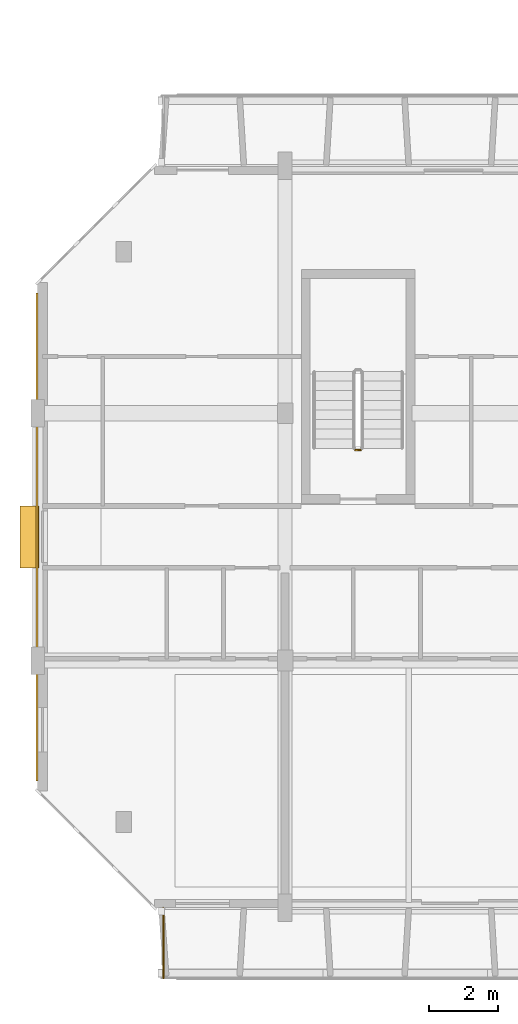
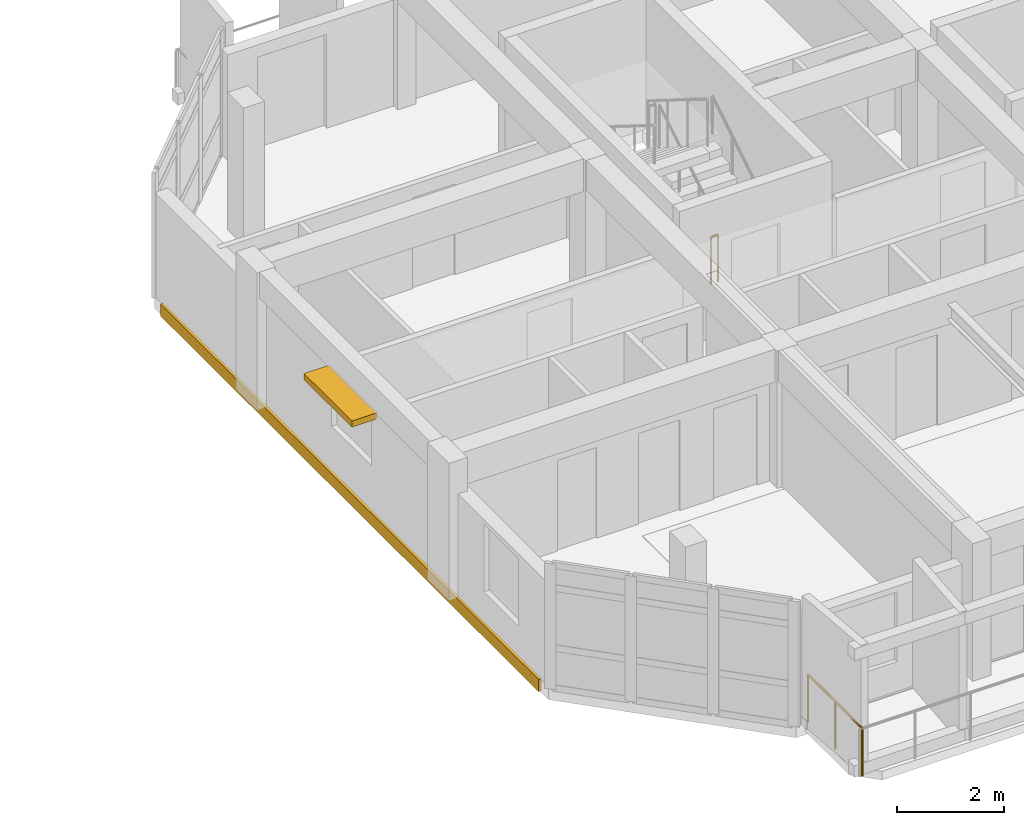
# One storey, part 35 of 45: 2 railings, 1 covering, 1 shading device.
"""IFC4 building model written with IfcOpenShell, lengths in metres."""

from ifc_helpers import new_model, si_unit, direction, frame, origin, origin_2d, place, context, subcontext, project, spatial, rectangle, circle, extrude, material, layer, layer_set, type_object, element, save


model = new_model("IFC4")

# Units and contexts
model_context = context("Model", 3, precision=1e-05, world=origin(), true_north=direction((0.0, 1.0)))
body_context = subcontext(model_context, "Body", "Model", "MODEL_VIEW")
ifc_project = project(units=[si_unit("LENGTHUNIT", "METRE"), si_unit("AREAUNIT", "SQUARE_METRE"), si_unit("VOLUMEUNIT", "CUBIC_METRE"), si_unit("PLANEANGLEUNIT", "RADIAN"), si_unit("MASSUNIT", "GRAM", prefix="KILO")], contexts=[model_context])

# Site, building, storey
site_placement = place(None, origin())
site = spatial("IfcSite", under=ifc_project, at=site_placement, CompositionType="ELEMENT")
building_placement = place(site_placement, origin())
building = spatial("IfcBuilding", under=site, at=building_placement, Name="Ochrevale Crest", CompositionType="ELEMENT")
storey_placement = place(building_placement, frame((0.0, 0.0, 18.14990234375)))
storey = spatial("IfcBuildingStorey", under=building, at=storey_placement, Name="L05", CompositionType="ELEMENT", Elevation=18.14990234375)

# Covering
ifc_material_1 = material(Name="Glazed terracotta rainscreen tile", Category="masonry")
ifc_layer = layer(ifc_material_1, 0.048095703125)
ifc_layer_set = layer_set([ifc_layer], Name="Glazed terracotta rainscreen tile")
covering_type = type_object("IfcCoveringType", Name="COV-CLAD-TER", PredefinedType="CLADDING", material=ifc_layer_set)
covering_placement = place(storey_placement, frame((-0.014404296875, 25.199951171875, -0.259765625), z_axis=(0.0, 0.0, 1.0), x_axis=(0.0, -1.0, 0.0)))
element("IfcCovering", 1, at=covering_placement, inside=storey, type_object=covering_type, Name="Block A L05 terracotta slab-edge spandrel cladding", PredefinedType="CLADDING", context=body_context, shape_type="SweptSolid", body=[
    extrude(rectangle(XDim=14.199951171875, YDim=0.06005859375, at=origin_2d()), origin(), (0.0, 0.0, 1.0), 0.280029296875),
])

# Railings
ifc_material_2 = material(Name="Galvanised steel", Category="steel")
railing_type_1 = type_object("IfcRailingType", Name="RL-BAL-1100", PredefinedType="BALUSTRADE", material=ifc_material_2)
railing_1_placement = place(storey_placement, frame((3.659912109375, 14.39990234375, 0.0)))
element("IfcRailing", 2, at=railing_1_placement, inside=storey, type_object=railing_type_1, Name="Block A L05 S-W balcony side guard", PredefinedType="BALUSTRADE", context=body_context, shape_type="SweptSolid", body=[
    extrude(circle(Radius=0.02392578125, at=origin_2d()), frame((0.0, 0.0, 1.0859375), z_axis=(0.0, -1.0, 0.0), x_axis=(1.0, 0.0, 0.0)), (0.0, 0.0, 1.0), 2.039794921875),
    extrude(circle(Radius=0.02099609375, at=origin_2d()), origin(), (0.0, 0.0, 1.0), 1.06201171875),
    extrude(circle(Radius=0.02099609375, at=origin_2d()), frame((0.0, -1.02001953125, 0.0)), (0.0, 0.0, 1.0), 1.06201171875),
    extrude(circle(Radius=0.02099609375, at=origin_2d()), frame((0.0, -2.039794921875, 0.0)), (0.0, 0.0, 1.0), 1.06201171875),
])
railing_type_2 = type_object("IfcRailingType", Name="RL-ST-GUARD", PredefinedType="BALUSTRADE", material=ifc_material_2)
railing_2_placement = place(storey_placement, frame((9.39990234375, 27.72509765625, 0.0)))
element("IfcRailing", 3, at=railing_2_placement, inside=storey, type_object=railing_type_2, Name="L05 ST-A1 stair guard 4", PredefinedType="BALUSTRADE", context=body_context, shape_type="SweptSolid", body=[
    extrude(circle(Radius=0.02392578125, at=origin_2d()), frame((0.0, 0.0, 1.076171875), z_axis=(-1.0, 0.0, 0.0), x_axis=(0.0, -1.0, 0.0)), (0.0, 0.0, 1.0), 0.14990234375),
    extrude(circle(Radius=0.02099609375, at=origin_2d()), origin(), (0.0, 0.0, 1.0), 1.052001953125),
    extrude(circle(Radius=0.02099609375, at=origin_2d()), frame((-0.14990234375, 0.0, 0.0)), (0.0, 0.0, 1.0), 1.052001953125),
])

# Shading device
ifc_material_3 = material(Name="Anodised aluminium 6063-T5", Category="aluminium")
shading_device_type = type_object("IfcShadingDeviceType", Name="SHD-SUNSHADE-OC", PredefinedType="USERDEFINED", material=ifc_material_3)
shading_device_placement = place(storey_placement, frame((-0.239990234375, 25.199951171875, 2.2099609375), z_axis=(0.0, 0.0, 1.0), x_axis=(1.0, 0.0, 0.0)))
element("IfcShadingDevice", 4, at=shading_device_placement, inside=storey, type_object=shading_device_type, Name="Block A L05 gable window sunshade W", ObjectType="HORIZONTAL SUNSHADE", PredefinedType="USERDEFINED", context=body_context, shape_type="SweptSolid", body=[
    extrude(rectangle(XDim=0.550048828125, YDim=1.800048828125, at=origin_2d()), origin(), (0.0, 0.0, 1.0), 0.139892578125),
])

save(model, "model.ifc")
